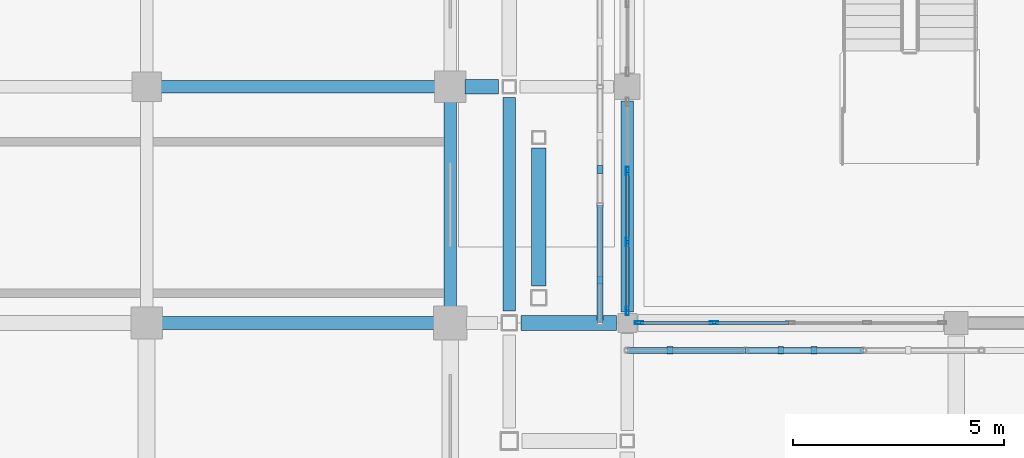
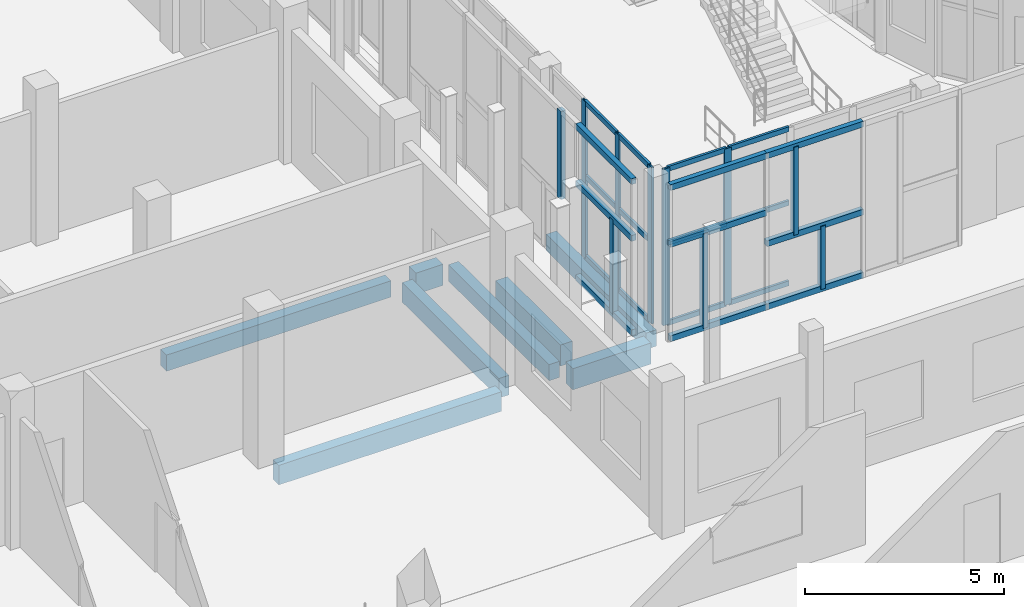
# One storey, part 25 of 91: 31 members, 8 beams, 2 elements without a shape of their own.
"""IFC4 building model written with IfcOpenShell, lengths in metres."""

from ifc_helpers import new_model, si_unit, direction, frame, origin, origin_2d, place, context, subcontext, project, spatial, rectangle, hollow_rectangle, extrude, material, layer, layer_set, material_profile, profile_set, type_object, element, aggregate, save


model = new_model("IFC4")

# Units and contexts
model_context = context("Model", 3, precision=1e-05, world=origin(), true_north=direction((0.0, 1.0)))
body_context = subcontext(model_context, "Body", "Model", "MODEL_VIEW")
ifc_project = project(units=[si_unit("LENGTHUNIT", "METRE"), si_unit("AREAUNIT", "SQUARE_METRE"), si_unit("VOLUMEUNIT", "CUBIC_METRE"), si_unit("PLANEANGLEUNIT", "RADIAN"), si_unit("MASSUNIT", "GRAM", prefix="KILO")], contexts=[model_context])

# Site, building, storey
site_placement = place(None, origin())
site = spatial("IfcSite", under=ifc_project, at=site_placement, CompositionType="ELEMENT")
building_placement = place(site_placement, origin())
building = spatial("IfcBuilding", under=site, at=building_placement, Name="Vinh Khe Railworks Police Headquarters", CompositionType="ELEMENT")
storey_placement = place(building_placement, origin())
storey = spatial("IfcBuildingStorey", under=building, at=storey_placement, Name="L00", CompositionType="ELEMENT", Elevation=0.0)

# Members
ifc_material_1 = material(Name="Salvaged ironwood timber", Category="wood")
ifc_material_profile_1 = material_profile(ifc_material_1, rectangle(XDim=0.139892578125, YDim=0.179931640625, at=origin_2d()), Name="TIMBER 140x180")
ifc_profile_set_1 = profile_set([ifc_material_profile_1], Name="Salvaged ironwood timber")
member_type_1 = type_object("IfcMemberType", Name="MEM-QUILT-STILE", PredefinedType="CHORD", material=ifc_profile_set_1)
for number, where, z_axis, x_axis, name in (
    (1, (26.39990234375, 24.550048828125, 4.719970703125), (1.0, 0.0, 0.0), (0.0, 1.0, 0.0), "Salvaged Timber Quilt Transom S-L00-00-TOP"),
    (2, (26.39990234375, 24.550048828125, 0.080078125), (1.0, 0.0, 0.0), (0.0, 1.0, 0.0), "Salvaged Timber Quilt Transom S-L00-00-BOT"),
    (3, (26.39990234375, 24.550048828125, 2.97607421875), (1.0, 0.0, 0.0), (0.0, 1.0, 0.0), "Salvaged Timber Quilt Transom S-L00-00-M1"),
):
    element("IfcMember", number, at=place(storey_placement, frame(where, z_axis=z_axis, x_axis=x_axis)), inside=storey, type_object=member_type_1, Name=name, PredefinedType="CHORD", context=body_context, shape_type="SweptSolid", body=[
        extrude(rectangle(XDim=0.139892578125, YDim=0.179931640625, at=origin_2d()), origin(), (0.0, 0.0, 1.0), 2.800048828125),
    ])
member_1_placement = place(storey_placement, frame((27.407958984375, 24.550048828125, 0.080078125), z_axis=(0.0, 0.0, 1.0), x_axis=(1.0, 0.0, 0.0)))
element("IfcMember", 4, at=member_1_placement, inside=storey, type_object=member_type_1, Name="Salvaged Timber Quilt Stile S-L00-00-V1", PredefinedType="POST", context=body_context, shape_type="SweptSolid", body=[
    extrude(rectangle(XDim=0.139892578125, YDim=0.179931640625, at=origin_2d()), origin(), (0.0, 0.0, 1.0), 2.89599609375),
])
for number, where, z_axis, x_axis, name in (
    (5, (29.199951171875, 24.550048828125, 4.719970703125), (1.0, 0.0, 0.0), (0.0, 1.0, 0.0), "Salvaged Timber Quilt Transom S-L00-01-TOP"),
    (6, (29.199951171875, 24.550048828125, 0.080078125), (1.0, 0.0, 0.0), (0.0, 1.0, 0.0), "Salvaged Timber Quilt Transom S-L00-01-BOT"),
    (7, (29.199951171875, 24.550048828125, 2.01611328125), (1.0, 0.0, 0.0), (0.0, 1.0, 0.0), "Salvaged Timber Quilt Transom S-L00-01-M1"),
):
    element("IfcMember", number, at=place(storey_placement, frame(where, z_axis=z_axis, x_axis=x_axis)), inside=storey, type_object=member_type_1, Name=name, PredefinedType="CHORD", context=body_context, shape_type="SweptSolid", body=[
        extrude(rectangle(XDim=0.139892578125, YDim=0.179931640625, at=origin_2d()), origin(), (0.0, 0.0, 1.0), 2.800048828125),
    ])
member_2_placement = place(storey_placement, frame((30.823974609375, 24.550048828125, 0.080078125), z_axis=(0.0, 0.0, 1.0), x_axis=(1.0, 0.0, 0.0)))
element("IfcMember", 8, at=member_2_placement, inside=storey, type_object=member_type_1, Name="Salvaged Timber Quilt Stile S-L00-01-V1", PredefinedType="POST", context=body_context, shape_type="SweptSolid", body=[
    extrude(rectangle(XDim=0.139892578125, YDim=0.179931640625, at=origin_2d()), origin(), (0.0, 0.0, 1.0), 1.93603515625),
])
member_3_placement = place(storey_placement, frame((30.0400390625, 24.550048828125, 2.01611328125), z_axis=(0.0, 0.0, 1.0), x_axis=(1.0, 0.0, 0.0)))
element("IfcMember", 9, at=member_3_placement, inside=storey, type_object=member_type_1, Name="Salvaged Timber Quilt Stile S-L00-01-V2", PredefinedType="POST", context=body_context, shape_type="SweptSolid", body=[
    extrude(rectangle(XDim=0.139892578125, YDim=0.179931640625, at=origin_2d()), origin(), (0.0, 0.0, 1.0), 2.703857421875),
])
for number, where, z_axis, x_axis, name in (
    (10, (25.75, 25.199951171875, 4.719970703125), (0.0, 1.0, 0.0), (-1.0, 0.0, 0.0), "Salvaged Timber Quilt Transom W-L00-00-TOP"),
    (11, (25.75, 25.199951171875, 0.080078125), (0.0, 1.0, 0.0), (-1.0, 0.0, 0.0), "Salvaged Timber Quilt Transom W-L00-00-BOT"),
    (12, (25.75, 25.199951171875, 2.97607421875), (0.0, 1.0, 0.0), (-1.0, 0.0, 0.0), "Salvaged Timber Quilt Transom W-L00-00-M1"),
):
    element("IfcMember", number, at=place(storey_placement, frame(where, z_axis=z_axis, x_axis=x_axis)), inside=storey, type_object=member_type_1, Name=name, PredefinedType="CHORD", context=body_context, shape_type="SweptSolid", body=[
        extrude(rectangle(XDim=0.139892578125, YDim=0.179931640625, at=origin_2d()), origin(), (0.0, 0.0, 1.0), 2.800048828125),
    ])
member_4_placement = place(storey_placement, frame((25.75, 26.2080078125, 0.080078125), z_axis=(0.0, 0.0, 1.0), x_axis=(1.0, 0.0, 0.0)))
element("IfcMember", 13, at=member_4_placement, inside=storey, type_object=member_type_1, Name="Salvaged Timber Quilt Stile W-L00-00-V1", PredefinedType="POST", context=body_context, shape_type="SweptSolid", body=[
    extrude(rectangle(XDim=0.139892578125, YDim=0.179931640625, at=origin_2d()), origin(), (0.0, 0.0, 1.0), 2.89599609375),
])
member_5_placement = place(storey_placement, frame((25.75, 28.840087890625, 2.01611328125), z_axis=(0.0, 0.0, 1.0), x_axis=(1.0, 0.0, 0.0)))
element("IfcMember", 14, at=member_5_placement, inside=storey, type_object=member_type_1, Name="Salvaged Timber Quilt Stile W-L00-01-V2", PredefinedType="POST", context=body_context, shape_type="SweptSolid", body=[
    extrude(rectangle(XDim=0.139892578125, YDim=0.179931640625, at=origin_2d()), origin(), (0.0, 0.0, 1.0), 2.703857421875),
])

# Curtain wall, members
ifc_material_2 = material(Name="Anodised aluminium and low-iron glass", Category="aluminium")
ifc_layer = layer(ifc_material_2, 0.179931640625)
ifc_layer_set = layer_set([ifc_layer], Name="Anodised aluminium and low-iron glass")
curtain_wall_type = type_object("IfcCurtainWallType", Name="CW-CUBE-UNIT", PredefinedType="USERDEFINED", material=ifc_layer_set)
curtain_wall_1_placement = place(storey_placement, origin())
curtain_wall_1 = element("IfcCurtainWall", 15, at=curtain_wall_1_placement, inside=storey, type_object=curtain_wall_type, Name="Entrance Hall Curtain Wall L00 S-1", ObjectType="UNITISED GLAZING", PredefinedType="USERDEFINED")
ifc_material_3 = material(Name="Anodised aluminium 6063-T6", Category="aluminium")
ifc_material_profile_2 = material_profile(ifc_material_3, hollow_rectangle(XDim=0.070068359375, YDim=0.199951171875, WallThickness=0.0048828125, at=origin_2d()), Name="CW-M 70x200x5")
ifc_profile_set_2 = profile_set([ifc_material_profile_2], Name="Anodised aluminium 6063-T6")
member_type_2 = type_object("IfcMemberType", Name="MULL-CWM-03", PredefinedType="MULLION", material=ifc_profile_set_2)
member_6_placement = place(storey_placement, frame((26.679931640625, 25.199951171875, 0.0), z_axis=(0.0, 0.0, 1.0), x_axis=(0.0, 1.0, 0.0)))
member_6 = element("IfcMember", 16, at=member_6_placement, type_object=member_type_2, Name="CW-01 mullion 1", PredefinedType="MULLION", context=body_context, shape_type="SweptSolid", body=[
    extrude(hollow_rectangle(XDim=0.070068359375, YDim=0.199951171875, WallThickness=0.0048828125, at=origin_2d()), origin(), (0.0, 0.0, 1.0), 4.800048828125),
])
member_7_placement = place(storey_placement, frame((28.4599609375, 25.199951171875, 0.0), z_axis=(0.0, 0.0, 1.0), x_axis=(0.0, 1.0, 0.0)))
member_7 = element("IfcMember", 17, at=member_7_placement, type_object=member_type_2, Name="CW-01 mullion 2", PredefinedType="MULLION", context=body_context, shape_type="SweptSolid", body=[
    extrude(hollow_rectangle(XDim=0.070068359375, YDim=0.199951171875, WallThickness=0.0048828125, at=origin_2d()), origin(), (0.0, 0.0, 1.0), 4.800048828125),
])

curtain_wall_2_placement = place(storey_placement, origin())
curtain_wall_2 = element("IfcCurtainWall", 18, at=curtain_wall_2_placement, inside=storey, type_object=curtain_wall_type, Name="Entrance Hall Curtain Wall L00 W-1", ObjectType="UNITISED GLAZING", PredefinedType="USERDEFINED")
member_8_placement = place(storey_placement, frame((26.39990234375, 25.47998046875, 0.0), z_axis=(0.0, 0.0, 1.0), x_axis=(-1.0, 0.0, 0.0)))
member_8 = element("IfcMember", 19, at=member_8_placement, type_object=member_type_2, Name="CW-01 mullion 1", PredefinedType="MULLION", context=body_context, shape_type="SweptSolid", body=[
    extrude(hollow_rectangle(XDim=0.070068359375, YDim=0.199951171875, WallThickness=0.0048828125, at=origin_2d()), origin(), (0.0, 0.0, 1.0), 4.800048828125),
])
member_9_placement = place(storey_placement, frame((26.39990234375, 27.123291015625, 0.0), z_axis=(0.0, 0.0, 1.0), x_axis=(-1.0, 0.0, 0.0)))
member_9 = element("IfcMember", 20, at=member_9_placement, type_object=member_type_2, Name="CW-01 mullion 2", PredefinedType="MULLION", context=body_context, shape_type="SweptSolid", body=[
    extrude(hollow_rectangle(XDim=0.070068359375, YDim=0.199951171875, WallThickness=0.0048828125, at=origin_2d()), origin(), (0.0, 0.0, 1.0), 4.800048828125),
])
member_10_placement = place(storey_placement, frame((26.39990234375, 28.8017578125, 0.0), z_axis=(0.0, 0.0, 1.0), x_axis=(-1.0, 0.0, 0.0)))
member_10 = element("IfcMember", 21, at=member_10_placement, type_object=member_type_2, Name="CW-01 mullion 3", PredefinedType="MULLION", context=body_context, shape_type="SweptSolid", body=[
    extrude(hollow_rectangle(XDim=0.070068359375, YDim=0.199951171875, WallThickness=0.0048828125, at=origin_2d()), origin(), (0.0, 0.0, 1.0), 4.800048828125),
])

# Beams
ifc_material_4 = material(Name="Concrete C35/45 (B35)", Category="concrete")
ifc_material_profile_3 = material_profile(ifc_material_4, rectangle(XDim=0.300048828125, YDim=0.5, at=origin_2d()), Name="RC 300x500")
ifc_profile_set_3 = profile_set([ifc_material_profile_3], Name="Concrete C35/45 (B35)")
beam_type_1 = type_object("IfcBeamType", Name="RC Girder RC 300x500", PredefinedType="BEAM", material=ifc_profile_set_3)
beam_1_placement = place(storey_placement, frame((15.330078125, 30.800048828125, -0.530029296875), z_axis=(1.0, 0.0, 0.0), x_axis=(0.0, 1.0, 0.0)))
element("IfcBeam", 22, at=beam_1_placement, inside=storey, type_object=beam_type_1, Name="Girder BM-L00-EW-RB-10-0045", PredefinedType="BEAM", context=body_context, shape_type="SweptSolid", body=[
    extrude(rectangle(XDim=0.300048828125, YDim=0.5, at=origin_2d()), origin(), (0.0, 0.0, 1.0), 6.514892578125),
])
beam_2_placement = place(storey_placement, frame((23.60009765625, 25.47998046875, -0.530029296875), z_axis=(0.0, 1.0, 0.0), x_axis=(-1.0, 0.0, 0.0)))
element("IfcBeam", 23, at=beam_2_placement, inside=storey, type_object=beam_type_1, Name="Girder BM-L00-NS-RB-10-0264", PredefinedType="BEAM", context=body_context, shape_type="SweptSolid", body=[
    extrude(rectangle(XDim=0.300048828125, YDim=0.5, at=origin_2d()), origin(), (0.0, 0.0, 1.0), 5.06494140625),
])
beam_3_placement = place(storey_placement, frame((26.39990234375, 25.455078125, -0.530029296875), z_axis=(0.0, 1.0, 0.0), x_axis=(-1.0, 0.0, 0.0)))
element("IfcBeam", 24, at=beam_3_placement, inside=storey, type_object=beam_type_1, Name="Girder BM-L00-NS-RB-10-0276", PredefinedType="BEAM", context=body_context, shape_type="SweptSolid", body=[
    extrude(rectangle(XDim=0.300048828125, YDim=0.5, at=origin_2d()), origin(), (0.0, 0.0, 1.0), 5.014892578125),
])
ifc_material_profile_4 = material_profile(ifc_material_4, rectangle(XDim=0.300048828125, YDim=0.60009765625, at=origin_2d()), Name="RC 300x600")
ifc_profile_set_4 = profile_set([ifc_material_profile_4], Name="Concrete C35/45 (B35)")
beam_type_2 = type_object("IfcBeamType", Name="RC Girder RC 300x600", PredefinedType="BEAM", material=ifc_profile_set_4)
beam_4_placement = place(storey_placement, frame((15.35498046875, 25.199951171875, -0.580078125), z_axis=(1.0, 0.0, 0.0), x_axis=(0.0, 1.0, 0.0)))
element("IfcBeam", 25, at=beam_4_placement, inside=storey, type_object=beam_type_2, Name="Girder BM-L00-EW-RB-09-0035", PredefinedType="BEAM", context=body_context, shape_type="SweptSolid", body=[
    extrude(rectangle(XDim=0.300048828125, YDim=0.60009765625, at=origin_2d()), origin(), (0.0, 0.0, 1.0), 6.465087890625),
])
beam_5_placement = place(storey_placement, frame((22.199951171875, 25.580078125, -0.580078125), z_axis=(0.0, 1.0, 0.0), x_axis=(-1.0, 0.0, 0.0)))
element("IfcBeam", 26, at=beam_5_placement, inside=storey, type_object=beam_type_2, Name="Girder BM-L00-NS-RB-09-0248", PredefinedType="BEAM", context=body_context, shape_type="SweptSolid", body=[
    extrude(rectangle(XDim=0.300048828125, YDim=0.60009765625, at=origin_2d()), origin(), (0.0, 0.0, 1.0), 4.864990234375),
])
ifc_material_profile_5 = material_profile(ifc_material_4, rectangle(XDim=0.35009765625, YDim=0.64990234375, at=origin_2d()), Name="RC 350x650")
ifc_profile_set_5 = profile_set([ifc_material_profile_5], Name="Concrete C35/45 (B35)")
beam_type_3 = type_object("IfcBeamType", Name="RC Girder RC 350x650", PredefinedType="BEAM", material=ifc_profile_set_5)
beam_6_placement = place(storey_placement, frame((23.8798828125, 25.199951171875, -0.60498046875), z_axis=(1.0, 0.0, 0.0), x_axis=(0.0, 1.0, 0.0)))
element("IfcBeam", 27, at=beam_6_placement, inside=storey, type_object=beam_type_3, Name="Girder BM-L00-EW-RB-08-0037", PredefinedType="BEAM", context=body_context, shape_type="SweptSolid", body=[
    extrude(rectangle(XDim=0.35009765625, YDim=0.64990234375, at=origin_2d()), origin(), (0.0, 0.0, 1.0), 2.26513671875),
])
beam_7_placement = place(storey_placement, frame((22.554931640625, 30.800048828125, -0.60498046875), z_axis=(1.0, 0.0, 0.0), x_axis=(0.0, 1.0, 0.0)))
element("IfcBeam", 28, at=beam_7_placement, inside=storey, type_object=beam_type_3, Name="Girder BM-L00-EW-RB-08-0046", PredefinedType="BEAM", context=body_context, shape_type="SweptSolid", body=[
    extrude(rectangle(XDim=0.35009765625, YDim=0.64990234375, at=origin_2d()), origin(), (0.0, 0.0, 1.0), 0.7900390625),
])
beam_8_placement = place(storey_placement, frame((24.300048828125, 26.080078125, -0.60498046875), z_axis=(0.0, 1.0, 0.0), x_axis=(-1.0, 0.0, 0.0)))
element("IfcBeam", 29, at=beam_8_placement, inside=storey, type_object=beam_type_3, Name="Girder BM-L00-NS-RB-08-0271", PredefinedType="BEAM", context=body_context, shape_type="SweptSolid", body=[
    extrude(rectangle(XDim=0.35009765625, YDim=0.64990234375, at=origin_2d()), origin(), (0.0, 0.0, 1.0), 3.264892578125),
])

# Member
ifc_material_profile_6 = material_profile(ifc_material_3, hollow_rectangle(XDim=0.070068359375, YDim=0.14990234375, WallThickness=0.0048828125, at=origin_2d()), Name="CW-T 70x150x5")
ifc_profile_set_6 = profile_set([ifc_material_profile_6], Name="Anodised aluminium 6063-T6")
member_type_3 = type_object("IfcMemberType", Name="TRAN-CWT-03", PredefinedType="USERDEFINED", material=ifc_profile_set_6)
member_11_placement = place(storey_placement, frame((26.715087890625, 25.199951171875, 0.034912109375), z_axis=(1.0, 0.0, 0.0), x_axis=(0.0, 1.0, 0.0)))
member_11 = element("IfcMember", 30, at=member_11_placement, type_object=member_type_3, Name="CW-01 transom 1.1", ObjectType="TRANSOM", PredefinedType="USERDEFINED", context=body_context, shape_type="SweptSolid", body=[
    extrude(hollow_rectangle(XDim=0.070068359375, YDim=0.14990234375, WallThickness=0.0048828125, at=origin_2d()), origin(), (0.0, 0.0, 1.0), 1.7099609375),
])

member_12_placement = place(storey_placement, frame((26.715087890625, 25.199951171875, 2.49609375), z_axis=(1.0, 0.0, 0.0), x_axis=(0.0, 1.0, 0.0)))
member_12 = element("IfcMember", 31, at=member_12_placement, type_object=member_type_3, Name="CW-01 transom 1.2", ObjectType="TRANSOM", PredefinedType="USERDEFINED", context=body_context, shape_type="SweptSolid", body=[
    extrude(hollow_rectangle(XDim=0.070068359375, YDim=0.14990234375, WallThickness=0.0048828125, at=origin_2d()), origin(), (0.0, 0.0, 1.0), 1.7099609375),
])

member_13_placement = place(storey_placement, frame((26.715087890625, 25.199951171875, 4.764892578125), z_axis=(1.0, 0.0, 0.0), x_axis=(0.0, 1.0, 0.0)))
member_13 = element("IfcMember", 32, at=member_13_placement, type_object=member_type_3, Name="CW-01 transom 1.3", ObjectType="TRANSOM", PredefinedType="USERDEFINED", context=body_context, shape_type="SweptSolid", body=[
    extrude(hollow_rectangle(XDim=0.070068359375, YDim=0.14990234375, WallThickness=0.0048828125, at=origin_2d()), origin(), (0.0, 0.0, 1.0), 1.7099609375),
])

member_14_placement = place(storey_placement, frame((28.4951171875, 25.199951171875, 0.034912109375), z_axis=(1.0, 0.0, 0.0), x_axis=(0.0, 1.0, 0.0)))
member_14 = element("IfcMember", 33, at=member_14_placement, type_object=member_type_3, Name="CW-01 transom 2.1", ObjectType="TRANSOM", PredefinedType="USERDEFINED", context=body_context, shape_type="SweptSolid", body=[
    extrude(hollow_rectangle(XDim=0.070068359375, YDim=0.14990234375, WallThickness=0.0048828125, at=origin_2d()), origin(), (0.0, 0.0, 1.0), 1.744873046875),
])

member_15_placement = place(storey_placement, frame((28.4951171875, 25.199951171875, 2.49609375), z_axis=(1.0, 0.0, 0.0), x_axis=(0.0, 1.0, 0.0)))
member_15 = element("IfcMember", 34, at=member_15_placement, type_object=member_type_3, Name="CW-01 transom 2.2", ObjectType="TRANSOM", PredefinedType="USERDEFINED", context=body_context, shape_type="SweptSolid", body=[
    extrude(hollow_rectangle(XDim=0.070068359375, YDim=0.14990234375, WallThickness=0.0048828125, at=origin_2d()), origin(), (0.0, 0.0, 1.0), 1.744873046875),
])

member_16_placement = place(storey_placement, frame((28.4951171875, 25.199951171875, 4.764892578125), z_axis=(1.0, 0.0, 0.0), x_axis=(0.0, 1.0, 0.0)))
member_16 = element("IfcMember", 35, at=member_16_placement, type_object=member_type_3, Name="CW-01 transom 2.3", ObjectType="TRANSOM", PredefinedType="USERDEFINED", context=body_context, shape_type="SweptSolid", body=[
    extrude(hollow_rectangle(XDim=0.070068359375, YDim=0.14990234375, WallThickness=0.0048828125, at=origin_2d()), origin(), (0.0, 0.0, 1.0), 1.744873046875),
])

aggregate(curtain_wall_1, [member_6, member_7, member_11, member_12, member_13, member_14, member_15, member_16])

member_17_placement = place(storey_placement, frame((26.39990234375, 25.514892578125, 0.034912109375), z_axis=(0.0, 1.0, 0.0), x_axis=(-1.0, 0.0, 0.0)))
member_17 = element("IfcMember", 36, at=member_17_placement, type_object=member_type_3, Name="CW-01 transom 1.1", ObjectType="TRANSOM", PredefinedType="USERDEFINED", context=body_context, shape_type="SweptSolid", body=[
    extrude(hollow_rectangle(XDim=0.070068359375, YDim=0.14990234375, WallThickness=0.0048828125, at=origin_2d()), origin(), (0.0, 0.0, 1.0), 1.573486328125),
])

member_18_placement = place(storey_placement, frame((26.39990234375, 25.514892578125, 2.49609375), z_axis=(0.0, 1.0, 0.0), x_axis=(-1.0, 0.0, 0.0)))
member_18 = element("IfcMember", 37, at=member_18_placement, type_object=member_type_3, Name="CW-01 transom 1.2", ObjectType="TRANSOM", PredefinedType="USERDEFINED", context=body_context, shape_type="SweptSolid", body=[
    extrude(hollow_rectangle(XDim=0.070068359375, YDim=0.14990234375, WallThickness=0.0048828125, at=origin_2d()), origin(), (0.0, 0.0, 1.0), 1.573486328125),
])

member_19_placement = place(storey_placement, frame((26.39990234375, 25.514892578125, 4.764892578125), z_axis=(0.0, 1.0, 0.0), x_axis=(-1.0, 0.0, 0.0)))
member_19 = element("IfcMember", 38, at=member_19_placement, type_object=member_type_3, Name="CW-01 transom 1.3", ObjectType="TRANSOM", PredefinedType="USERDEFINED", context=body_context, shape_type="SweptSolid", body=[
    extrude(hollow_rectangle(XDim=0.070068359375, YDim=0.14990234375, WallThickness=0.0048828125, at=origin_2d()), origin(), (0.0, 0.0, 1.0), 1.573486328125),
])

member_20_placement = place(storey_placement, frame((26.39990234375, 27.158447265625, 0.034912109375), z_axis=(0.0, 1.0, 0.0), x_axis=(-1.0, 0.0, 0.0)))
member_20 = element("IfcMember", 39, at=member_20_placement, type_object=member_type_3, Name="CW-01 transom 2.1", ObjectType="TRANSOM", PredefinedType="USERDEFINED", context=body_context, shape_type="SweptSolid", body=[
    extrude(hollow_rectangle(XDim=0.070068359375, YDim=0.14990234375, WallThickness=0.0048828125, at=origin_2d()), origin(), (0.0, 0.0, 1.0), 1.608154296875),
])

member_21_placement = place(storey_placement, frame((26.39990234375, 27.158447265625, 2.49609375), z_axis=(0.0, 1.0, 0.0), x_axis=(-1.0, 0.0, 0.0)))
member_21 = element("IfcMember", 40, at=member_21_placement, type_object=member_type_3, Name="CW-01 transom 2.2", ObjectType="TRANSOM", PredefinedType="USERDEFINED", context=body_context, shape_type="SweptSolid", body=[
    extrude(hollow_rectangle(XDim=0.070068359375, YDim=0.14990234375, WallThickness=0.0048828125, at=origin_2d()), origin(), (0.0, 0.0, 1.0), 1.608154296875),
])

member_22_placement = place(storey_placement, frame((26.39990234375, 27.158447265625, 4.764892578125), z_axis=(0.0, 1.0, 0.0), x_axis=(-1.0, 0.0, 0.0)))
member_22 = element("IfcMember", 41, at=member_22_placement, type_object=member_type_3, Name="CW-01 transom 2.3", ObjectType="TRANSOM", PredefinedType="USERDEFINED", context=body_context, shape_type="SweptSolid", body=[
    extrude(hollow_rectangle(XDim=0.070068359375, YDim=0.14990234375, WallThickness=0.0048828125, at=origin_2d()), origin(), (0.0, 0.0, 1.0), 1.608154296875),
])

aggregate(curtain_wall_2, [member_8, member_9, member_10, member_17, member_18, member_19, member_20, member_21, member_22])

save(model, "model.ifc")
